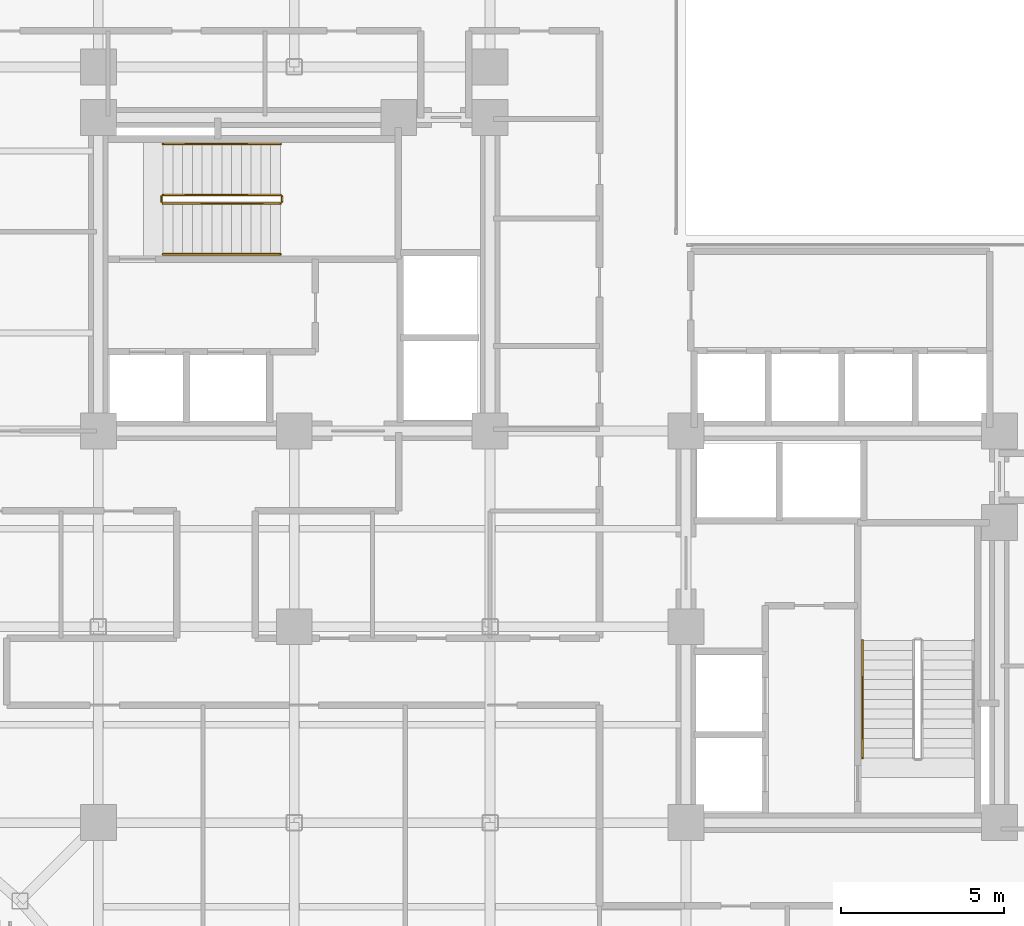
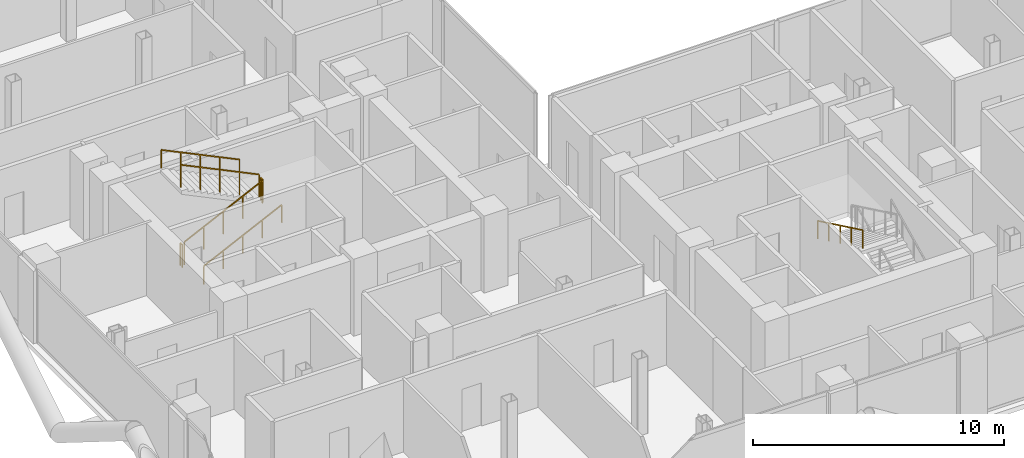
# One storey, part 26 of 28: 7 railings.
"""IFC4 building model written with IfcOpenShell, lengths in metres."""

from ifc_helpers import new_model, si_unit, direction, frame, origin, origin_2d, place, context, subcontext, project, spatial, rectangle, extrude, material, type_object, element, save


model = new_model("IFC4")

# Units and contexts
model_context = context("Model", 3, precision=1e-05, world=origin(), true_north=direction((0.0, 1.0)))
body_context = subcontext(model_context, "Body", "Model", "MODEL_VIEW")
ifc_project = project(units=[si_unit("LENGTHUNIT", "METRE"), si_unit("AREAUNIT", "SQUARE_METRE"), si_unit("VOLUMEUNIT", "CUBIC_METRE"), si_unit("PLANEANGLEUNIT", "RADIAN"), si_unit("MASSUNIT", "GRAM", prefix="KILO"), si_unit("THERMODYNAMICTEMPERATUREUNIT", "KELVIN"), si_unit("POWERUNIT", "WATT")], contexts=[model_context])

# Site, building, storey
site_placement = place(None, origin())
site = spatial("IfcSite", under=ifc_project, at=site_placement, CompositionType="ELEMENT")
building_placement = place(site_placement, origin())
building = spatial("IfcBuilding", under=site, at=building_placement, Name="Svarakhadi Broadcast Tower", CompositionType="ELEMENT")
storey_placement = place(building_placement, frame((0.0, 0.0, 149.39990234375)))
storey = spatial("IfcBuildingStorey", under=building, at=storey_placement, Name="L36", CompositionType="ELEMENT", Elevation=149.39990234375)

# Railings
ifc_material = material(Name="Anodised Bronze Aluminium AA 6063-T6", Category="aluminium")
railing_type_1 = type_object("IfcRailingType", Name="Guard_Stair_GR01", PredefinedType="GUARDRAIL", material=ifc_material)
railing_1_placement = place(storey_placement, frame((7.97998046875, 24.969970703125, 0.144287109375)))
element("IfcRailing", 1, at=railing_1_placement, inside=storey, type_object=railing_type_1, Name="L36 ST-01 stair guard 1", PredefinedType="GUARDRAIL", context=body_context, shape_type="SweptSolid", body=[
    extrude(rectangle(XDim=0.048095703125, YDim=0.048095703125, at=origin_2d()), frame((0.0, 0.0, 1.09619140625), z_axis=(0.901262522062, 0.0, 0.433273431364), x_axis=(0.0, 1.0, 0.0)), (0.0, 0.0, 1.0), 3.994384765625),
    extrude(rectangle(XDim=0.0419921875, YDim=0.0419921875, at=origin_2d()), origin(), (0.0, 0.0, 1.0), 1.072021484375),
    extrude(rectangle(XDim=0.0419921875, YDim=0.0419921875, at=origin_2d()), frame((0.89990234375, 0.0, 0.4326171875)), (0.0, 0.0, 1.0), 1.072021484375),
    extrude(rectangle(XDim=0.0419921875, YDim=0.0419921875, at=origin_2d()), frame((1.800048828125, 0.0, 0.865234375)), (0.0, 0.0, 1.0), 1.072021484375),
    extrude(rectangle(XDim=0.0419921875, YDim=0.0419921875, at=origin_2d()), frame((2.7001953125, 0.0, 1.298095703125)), (0.0, 0.0, 1.0), 1.072021484375),
    extrude(rectangle(XDim=0.0419921875, YDim=0.0419921875, at=origin_2d()), frame((3.60009765625, 0.0, 1.730712890625)), (0.0, 0.0, 1.0), 1.072021484375),
])
railing_2_placement = place(storey_placement, frame((11.6298828125, 25.02001953125, 1.875)))
element("IfcRailing", 2, at=railing_2_placement, inside=storey, type_object=railing_type_1, Name="L36 ST-01 stair guard 2", PredefinedType="GUARDRAIL", context=body_context, shape_type="SweptSolid", body=[
    extrude(rectangle(XDim=0.048095703125, YDim=0.048095703125, at=origin_2d()), frame((0.0, 0.0, 1.09619140625), z_axis=(0.0, 1.0, 0.0), x_axis=(-1.0, 0.0, 0.0)), (0.0, 0.0, 1.0), 0.159912109375),
    extrude(rectangle(XDim=0.0419921875, YDim=0.0419921875, at=origin_2d()), origin(), (0.0, 0.0, 1.0), 1.072021484375),
    extrude(rectangle(XDim=0.0419921875, YDim=0.0419921875, at=origin_2d()), frame((0.0, 0.159912109375, 0.0)), (0.0, 0.0, 1.0), 1.072021484375),
])
railing_3_placement = place(storey_placement, frame((11.580078125, 25.22998046875, 2.019287109375)))
element("IfcRailing", 3, at=railing_3_placement, inside=storey, type_object=railing_type_1, Name="L36 ST-01 stair guard 3", PredefinedType="GUARDRAIL", context=body_context, shape_type="SweptSolid", body=[
    extrude(rectangle(XDim=0.048095703125, YDim=0.048095703125, at=origin_2d()), frame((0.0, 0.0, 1.09619140625), z_axis=(-0.901262522062, 0.0, 0.433273431364), x_axis=(0.0, -1.0, 0.0)), (0.0, 0.0, 1.0), 3.994384765625),
    extrude(rectangle(XDim=0.0419921875, YDim=0.0419921875, at=origin_2d()), origin(), (0.0, 0.0, 1.0), 1.072021484375),
    extrude(rectangle(XDim=0.0419921875, YDim=0.0419921875, at=origin_2d()), frame((-0.89990234375, 0.0, 0.4326171875)), (0.0, 0.0, 1.0), 1.072021484375),
    extrude(rectangle(XDim=0.0419921875, YDim=0.0419921875, at=origin_2d()), frame((-1.800048828125, 0.0, 0.865234375)), (0.0, 0.0, 1.0), 1.072021484375),
    extrude(rectangle(XDim=0.0419921875, YDim=0.0419921875, at=origin_2d()), frame((-2.7001953125, 0.0, 1.298095703125)), (0.0, 0.0, 1.0), 1.072021484375),
    extrude(rectangle(XDim=0.0419921875, YDim=0.0419921875, at=origin_2d()), frame((-3.60009765625, 0.0, 1.730712890625)), (0.0, 0.0, 1.0), 1.072021484375),
])
railing_4_placement = place(storey_placement, frame((7.929931640625, 25.02001953125, 0.0)))
element("IfcRailing", 4, at=railing_4_placement, inside=storey, type_object=railing_type_1, Name="L36 ST-01 stair guard 4", PredefinedType="GUARDRAIL", context=body_context, shape_type="SweptSolid", body=[
    extrude(rectangle(XDim=0.048095703125, YDim=0.048095703125, at=origin_2d()), frame((0.0, 0.0, 1.09619140625), z_axis=(0.0, 1.0, 0.0), x_axis=(-1.0, 0.0, 0.0)), (0.0, 0.0, 1.0), 0.159912109375),
    extrude(rectangle(XDim=0.0419921875, YDim=0.0419921875, at=origin_2d()), origin(), (0.0, 0.0, 1.0), 1.072021484375),
    extrude(rectangle(XDim=0.0419921875, YDim=0.0419921875, at=origin_2d()), frame((0.0, 0.159912109375, 0.0)), (0.0, 0.0, 1.0), 1.072021484375),
])
railing_type_2 = type_object("IfcRailingType", Name="Handrail_Stair_HR01", PredefinedType="HANDRAIL", material=ifc_material)
railing_5_placement = place(storey_placement, frame((7.97998046875, 23.409912109375, 0.144287109375)))
element("IfcRailing", 5, at=railing_5_placement, inside=storey, type_object=railing_type_2, Name="L36 ST-01 stair handrail 1", PredefinedType="HANDRAIL", context=body_context, shape_type="SweptSolid", body=[
    extrude(rectangle(XDim=0.048095703125, YDim=0.048095703125, at=origin_2d()), frame((0.0, 0.0, 0.8759765625), z_axis=(0.901262522062, 0.0, 0.433273431364), x_axis=(0.0, 1.0, 0.0)), (0.0, 0.0, 1.0), 3.994384765625),
    extrude(rectangle(XDim=0.0419921875, YDim=0.0419921875, at=origin_2d()), origin(), (0.0, 0.0, 1.0), 0.851806640625),
    extrude(rectangle(XDim=0.0419921875, YDim=0.0419921875, at=origin_2d()), frame((0.89990234375, 0.0, 0.4326171875)), (0.0, 0.0, 1.0), 0.851806640625),
    extrude(rectangle(XDim=0.0419921875, YDim=0.0419921875, at=origin_2d()), frame((1.800048828125, 0.0, 0.865234375)), (0.0, 0.0, 1.0), 0.851806640625),
    extrude(rectangle(XDim=0.0419921875, YDim=0.0419921875, at=origin_2d()), frame((2.7001953125, 0.0, 1.298095703125)), (0.0, 0.0, 1.0), 0.851806640625),
    extrude(rectangle(XDim=0.0419921875, YDim=0.0419921875, at=origin_2d()), frame((3.60009765625, 0.0, 1.730712890625)), (0.0, 0.0, 1.0), 0.851806640625),
])
railing_6_placement = place(storey_placement, frame((11.580078125, 26.7900390625, 2.019287109375)))
element("IfcRailing", 6, at=railing_6_placement, inside=storey, type_object=railing_type_2, Name="L36 ST-01 stair handrail 2", PredefinedType="HANDRAIL", context=body_context, shape_type="SweptSolid", body=[
    extrude(rectangle(XDim=0.048095703125, YDim=0.048095703125, at=origin_2d()), frame((0.0, 0.0, 0.8759765625), z_axis=(-0.901262522062, 0.0, 0.433273431364), x_axis=(0.0, -1.0, 0.0)), (0.0, 0.0, 1.0), 3.994384765625),
    extrude(rectangle(XDim=0.0419921875, YDim=0.0419921875, at=origin_2d()), origin(), (0.0, 0.0, 1.0), 0.851806640625),
    extrude(rectangle(XDim=0.0419921875, YDim=0.0419921875, at=origin_2d()), frame((-0.89990234375, 0.0, 0.4326171875)), (0.0, 0.0, 1.0), 0.851806640625),
    extrude(rectangle(XDim=0.0419921875, YDim=0.0419921875, at=origin_2d()), frame((-1.800048828125, 0.0, 0.865234375)), (0.0, 0.0, 1.0), 0.851806640625),
    extrude(rectangle(XDim=0.0419921875, YDim=0.0419921875, at=origin_2d()), frame((-2.7001953125, 0.0, 1.298095703125)), (0.0, 0.0, 1.0), 0.851806640625),
    extrude(rectangle(XDim=0.0419921875, YDim=0.0419921875, at=origin_2d()), frame((-3.60009765625, 0.0, 1.730712890625)), (0.0, 0.0, 1.0), 0.851806640625),
])
railing_7_placement = place(storey_placement, frame((29.409912109375, 11.580078125, 2.019287109375)))
element("IfcRailing", 7, at=railing_7_placement, inside=storey, type_object=railing_type_2, Name="L36 ST-02 stair handrail 2", PredefinedType="HANDRAIL", context=body_context, shape_type="SweptSolid", body=[
    extrude(rectangle(XDim=0.048095703125, YDim=0.048095703125, at=origin_2d()), frame((0.0, 0.0, 0.8759765625), z_axis=(0.0, -0.901262522062, 0.433273431364), x_axis=(1.0, 0.0, 0.0)), (0.0, 0.0, 1.0), 3.994384765625),
    extrude(rectangle(XDim=0.0419921875, YDim=0.0419921875, at=origin_2d()), origin(), (0.0, 0.0, 1.0), 0.851806640625),
    extrude(rectangle(XDim=0.0419921875, YDim=0.0419921875, at=origin_2d()), frame((0.0, -0.89990234375, 0.4326171875)), (0.0, 0.0, 1.0), 0.851806640625),
    extrude(rectangle(XDim=0.0419921875, YDim=0.0419921875, at=origin_2d()), frame((0.0, -1.800048828125, 0.865234375)), (0.0, 0.0, 1.0), 0.851806640625),
    extrude(rectangle(XDim=0.0419921875, YDim=0.0419921875, at=origin_2d()), frame((0.0, -2.7001953125, 1.298095703125)), (0.0, 0.0, 1.0), 0.851806640625),
    extrude(rectangle(XDim=0.0419921875, YDim=0.0419921875, at=origin_2d()), frame((0.0, -3.60009765625, 1.730712890625)), (0.0, 0.0, 1.0), 0.851806640625),
])

save(model, "model.ifc")
